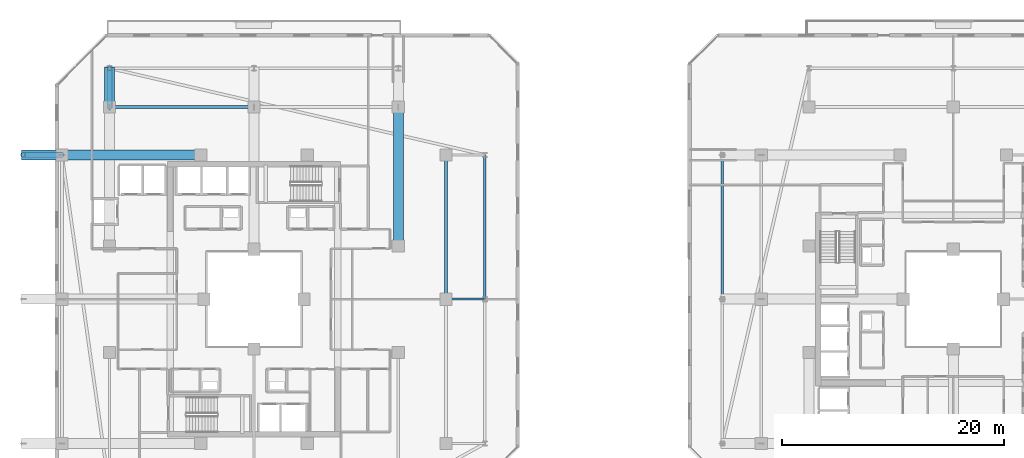
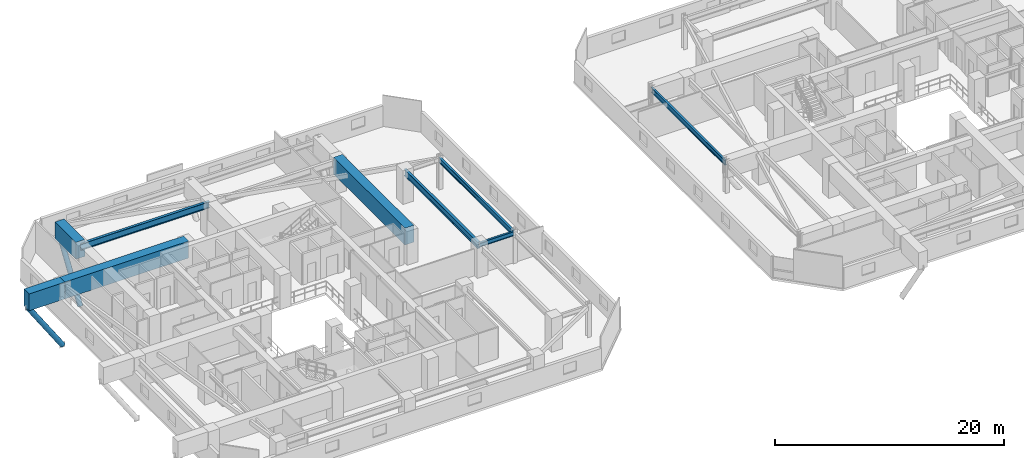
# One storey, part 7 of 36: 9 beams, 2 members.
"""IFC4 building model written with IfcOpenShell, lengths in metres."""

from ifc_helpers import new_model, si_unit, direction, frame, origin, origin_2d, place, context, subcontext, project, spatial, rectangle, hollow_circle, i_section, extrude, material, material_profile, profile_set, type_object, element, save


model = new_model("IFC4")

# Units and contexts
model_context = context("Model", 3, precision=1e-05, world=origin(), true_north=direction((0.0, 1.0)))
body_context = subcontext(model_context, "Body", "Model", "MODEL_VIEW")
ifc_project = project(units=[si_unit("LENGTHUNIT", "METRE"), si_unit("AREAUNIT", "SQUARE_METRE"), si_unit("VOLUMEUNIT", "CUBIC_METRE"), si_unit("PLANEANGLEUNIT", "RADIAN"), si_unit("MASSUNIT", "GRAM", prefix="KILO")], contexts=[model_context])

# Site, building, storey
site_placement = place(None, origin())
site = spatial("IfcSite", under=ifc_project, at=site_placement, CompositionType="ELEMENT")
building_placement = place(site_placement, origin())
building = spatial("IfcBuilding", under=site, at=building_placement, Name="Thornwick Lancets Civic Towers", CompositionType="ELEMENT")
storey_placement = place(building_placement, frame((0.0, 0.0, 196.5)))
storey = spatial("IfcBuildingStorey", under=building, at=storey_placement, Name="L52", CompositionType="ELEMENT", Elevation=196.5)

# Beams
ifc_material_1 = material(Name="Steel S355JR", Category="steel")
ifc_material_profile_1 = material_profile(ifc_material_1, i_section(OverallWidth=0.210693359375, OverallDepth=0.53955078125, WebThickness=0.01171875, FlangeThickness=0.018798828125, FilletRadius=0.0126953125, at=origin_2d()), Name="UKB 533x210x109")
ifc_profile_set_1 = profile_set([ifc_material_profile_1], Name="Steel S355JR")
beam_type_1 = type_object("IfcBeamType", Name="BM_EDGE_533_109", PredefinedType="SPANDREL", material=ifc_profile_set_1)
for number, where, z_axis, x_axis, name in (
    (1, (46.300048828125, 27.080078125, 3.0703125), (0.0, 1.0, 0.0), (-1.0, 0.0, 0.0), "BM-EDGE-L52-A-S1-2"),
    (2, (67.699951171875, 27.080078125, 3.0703125), (0.0, 1.0, 0.0), (-1.0, 0.0, 0.0), "BM-EDGE-L52-B-S2-2"),
):
    element("IfcBeam", number, at=place(storey_placement, frame(where, z_axis=z_axis, x_axis=x_axis)), inside=storey, type_object=beam_type_1, Name=name, PredefinedType="SPANDREL", context=body_context, shape_type="SweptSolid", body=[
        extrude(i_section(OverallWidth=0.210693359375, OverallDepth=0.53955078125, WebThickness=0.01171875, FlangeThickness=0.018798828125, FilletRadius=0.0126953125, at=origin_2d()), origin(), (0.0, 0.0, 1.0), 12.919921875),
    ])
ifc_material_profile_2 = material_profile(ifc_material_1, i_section(OverallWidth=0.255859375, OverallDepth=0.69287109375, WebThickness=0.014404296875, FlangeThickness=0.023681640625, FilletRadius=0.01513671875, at=origin_2d()), Name="UKB 686x254x170")
ifc_profile_set_2 = profile_set([ifc_material_profile_2], Name="Steel S355JR")
beam_type_2 = type_object("IfcBeamType", Name="BM_GIRD_686_170", PredefinedType="BEAM", material=ifc_profile_set_2)
beam_1_placement = place(storey_placement, frame((42.800048828125, 27.080078125, 2.993408203125), z_axis=(0.0, 1.0, 0.0), x_axis=(-1.0, 0.0, 0.0)))
element("IfcBeam", 3, at=beam_1_placement, inside=storey, type_object=beam_type_2, Name="BM-SPINE-L52-A-4-5", PredefinedType="BEAM", context=body_context, shape_type="SweptSolid", body=[
    extrude(i_section(OverallWidth=0.255859375, OverallDepth=0.69287109375, WebThickness=0.014404296875, FlangeThickness=0.023681640625, FilletRadius=0.01513671875, at=origin_2d()), origin(), (0.0, 0.0, 1.0), 12.919921875),
])
beam_2_placement = place(storey_placement, frame((12.5, 44.300048828125, 2.993408203125), z_axis=(1.0, 0.0, 0.0), x_axis=(0.0, 1.0, 0.0)))
element("IfcBeam", 4, at=beam_2_placement, inside=storey, type_object=beam_type_2, Name="BM-SPINE-L52-A-6-7", PredefinedType="BEAM", context=body_context, shape_type="SweptSolid", body=[
    extrude(i_section(OverallWidth=0.255859375, OverallDepth=0.69287109375, WebThickness=0.014404296875, FlangeThickness=0.023681640625, FilletRadius=0.01513671875, at=origin_2d()), origin(), (0.0, 0.0, 1.0), 13.0),
])
ifc_material_profile_3 = material_profile(ifc_material_1, i_section(OverallWidth=0.19189453125, OverallDepth=0.46337890625, WebThickness=0.010498046875, FlangeThickness=0.017578125, FilletRadius=0.01025390625, at=origin_2d()), Name="UKB 457x191x89")
ifc_profile_set_3 = profile_set([ifc_material_profile_3], Name="Steel S355JR")
beam_type_3 = type_object("IfcBeamType", Name="BM_JOIST_457_89", PredefinedType="JOIST", material=ifc_profile_set_3)
beam_3_placement = place(storey_placement, frame((42.800048828125, 27.0, 3.1083984375), z_axis=(1.0, 0.0, 0.0), x_axis=(0.0, 1.0, 0.0)))
element("IfcBeam", 5, at=beam_3_placement, inside=storey, type_object=beam_type_3, Name="BM-RAD-L52-A05", PredefinedType="JOIST", context=body_context, shape_type="SweptSolid", body=[
    extrude(i_section(OverallWidth=0.19189453125, OverallDepth=0.46337890625, WebThickness=0.010498046875, FlangeThickness=0.017578125, FilletRadius=0.01025390625, at=origin_2d()), origin(), (0.0, 0.0, 1.0), 3.5),
])
ifc_material_2 = material(Name="Concrete C60/75", Category="concrete")
ifc_material_profile_4 = material_profile(ifc_material_2, rectangle(XDim=0.89990234375, YDim=1.800048828125, at=origin_2d()), Name="RC 900x1800")
ifc_profile_set_4 = profile_set([ifc_material_profile_4], Name="Concrete C60/75")
beam_type_4 = type_object("IfcBeamType", Name="BM_TR_RC1800", PredefinedType="BEAM", material=ifc_profile_set_4)
beam_4_placement = place(storey_placement, frame((12.5, 44.300048828125, 2.699951171875), z_axis=(0.0, 1.0, 0.0), x_axis=(-1.0, 0.0, 0.0)))
element("IfcBeam", 6, at=beam_4_placement, inside=storey, type_object=beam_type_4, Name="TG-CANT-L53-A07", PredefinedType="BEAM", context=body_context, shape_type="SweptSolid", body=[
    extrude(rectangle(XDim=0.89990234375, YDim=1.800048828125, at=origin_2d()), origin(), (0.0, 0.0, 1.0), 3.619873046875),
])
for number, where, z_axis, x_axis, name in (
    (7, (38.5, 31.800048828125, 2.699951171875), (0.0, 1.0, 0.0), (-1.0, 0.0, 0.0), "TG-BACK-L53-A09"),
    (8, (20.699951171875, 40.0, 2.699951171875), (-1.0, 0.0, 0.0), (0.0, -1.0, 0.0), "TG-BACK-L53-A12"),
):
    element("IfcBeam", number, at=place(storey_placement, frame(where, z_axis=z_axis, x_axis=x_axis)), inside=storey, type_object=beam_type_4, Name=name, PredefinedType="BEAM", context=body_context, shape_type="SweptSolid", body=[
        extrude(rectangle(XDim=0.89990234375, YDim=1.800048828125, at=origin_2d()), origin(), (0.0, 0.0, 1.0), 12.5),
    ])
beam_5_placement = place(storey_placement, frame((8.199951171875, 40.0, 2.699951171875), z_axis=(-1.0, 0.0, 0.0), x_axis=(0.0, -1.0, 0.0)))
element("IfcBeam", 9, at=beam_5_placement, inside=storey, type_object=beam_type_4, Name="TG-CANT-L53-A12", PredefinedType="BEAM", context=body_context, shape_type="SweptSolid", body=[
    extrude(rectangle(XDim=0.89990234375, YDim=1.800048828125, at=origin_2d()), origin(), (0.0, 0.0, 1.0), 3.619873046875),
])

# Members
ifc_material_3 = material(Name="Steel S460M", Category="steel")
ifc_material_profile_5 = material_profile(ifc_material_3, hollow_circle(Radius=0.25390625, WallThickness=0.02490234375, at=origin_2d()), Name="CHS 508x25")
ifc_profile_set_5 = profile_set([ifc_material_profile_5], Name="Steel S460M")
member_type = type_object("IfcMemberType", Name="MEM_STRUT_CHS508", PredefinedType="STRUT", material=ifc_profile_set_5)
for number, where, z_axis, x_axis, name in (
    (10, (12.5, 44.300048828125, -3.35009765625), (0.0, 0.556167580628, 0.831070166868), (-1.0, 0.0, 0.0), "L53 Jenga Transfer Raking Strut A07"),
    (11, (8.199951171875, 40.0, -3.35009765625), (-0.556167580628, 0.0, 0.831070166868), (0.0, -1.0, 0.0), "L53 Jenga Transfer Raking Strut A12"),
):
    element("IfcMember", number, at=place(storey_placement, frame(where, z_axis=z_axis, x_axis=x_axis)), inside=storey, type_object=member_type, Name=name, PredefinedType="STRUT", context=body_context, shape_type="SweptSolid", body=[
        extrude(hollow_circle(Radius=0.25390625, WallThickness=0.02490234375, at=origin_2d()), origin(), (0.0, 0.0, 1.0), 6.29296875),
    ])

save(model, "model.ifc")
